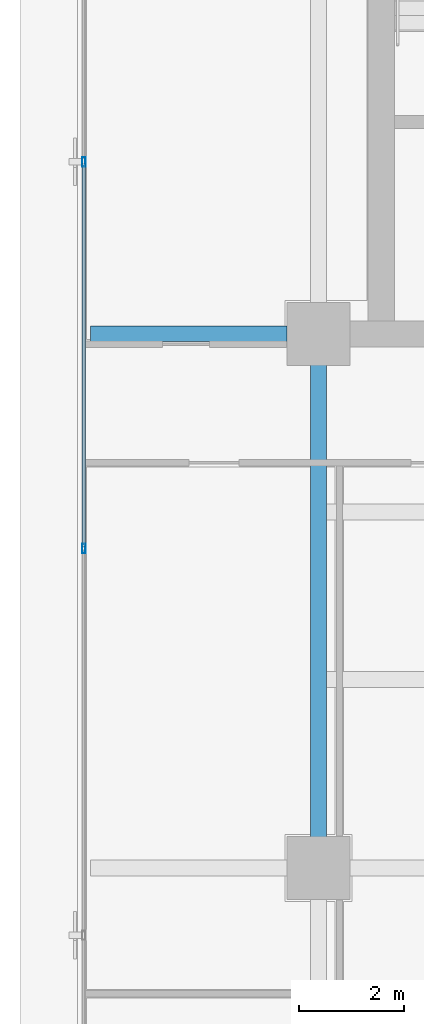
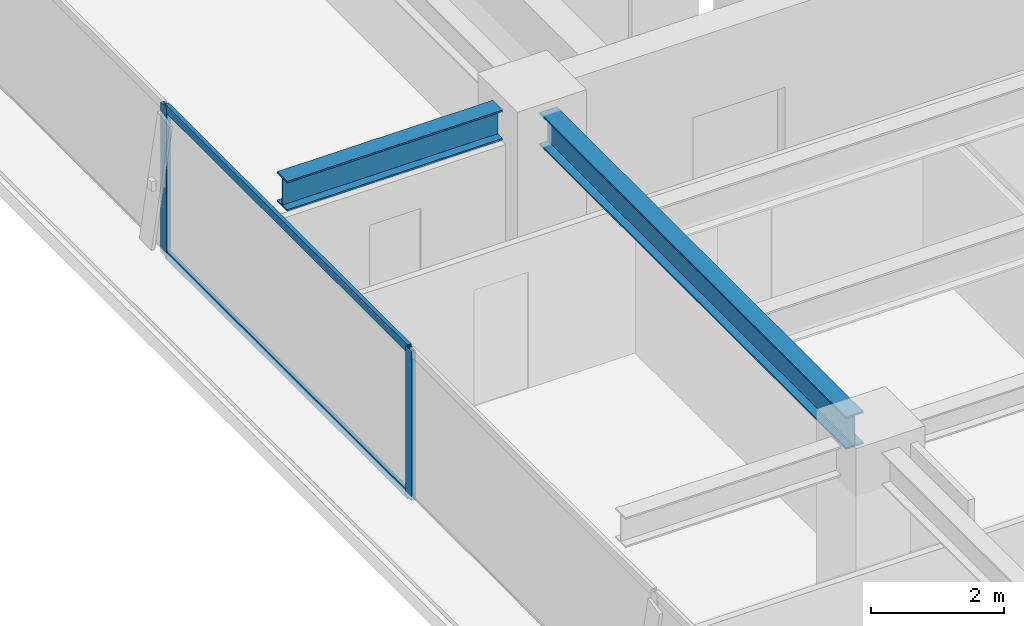
# One storey, part 7 of 22: 4 members, 2 beams, 1 element without a shape of its own.
"""IFC4 building model written with IfcOpenShell, lengths in metres."""

from ifc_helpers import new_model, si_unit, direction, frame, origin, origin_2d, place, context, subcontext, project, spatial, hollow_rectangle, i_section, extrude, source, transform, mapped, material, layer, layer_set, material_profile, profile_set, type_object, element, aggregate, save


model = new_model("IFC4")

# Units and contexts
model_context = context("Model", 3, precision=1e-05, world=origin(), true_north=direction((0.0, 1.0)))
body_context = subcontext(model_context, "Body", "Model", "MODEL_VIEW")
ifc_project = project(units=[si_unit("LENGTHUNIT", "METRE"), si_unit("AREAUNIT", "SQUARE_METRE"), si_unit("VOLUMEUNIT", "CUBIC_METRE"), si_unit("PLANEANGLEUNIT", "RADIAN"), si_unit("MASSUNIT", "GRAM", prefix="KILO")], contexts=[model_context])

# Site, building, storey
site_placement = place(None, origin())
site = spatial("IfcSite", under=ifc_project, at=site_placement, CompositionType="ELEMENT")
building_placement = place(site_placement, origin())
building = spatial("IfcBuilding", under=site, at=building_placement, Name="Sumidabori Civic Tower", CompositionType="ELEMENT")
storey_placement = place(building_placement, frame((0.0, 0.0, 272.0)))
storey = spatial("IfcBuildingStorey", under=building, at=storey_placement, Name="L71", CompositionType="ELEMENT", Elevation=272.0)

# Beams
ifc_material_1 = material(Name="Steel SN490", Category="steel")
ifc_material_profile_1 = material_profile(ifc_material_1, i_section(OverallWidth=0.300048828125, OverallDepth=0.60009765625, WebThickness=0.015380859375, FlangeThickness=0.030029296875, at=origin_2d()), Name="HE 600 B")
ifc_profile_set_1 = profile_set([ifc_material_profile_1], Name="Steel SN490")
beam_type_1 = type_object("IfcBeamType", Name="BM-GIRD-600", PredefinedType="BEAM", material=ifc_profile_set_1)
shared_shape_1 = source(origin(), body_context, "Body", "SweptSolid", [
    extrude(i_section(OverallWidth=0.300048828125, OverallDepth=0.60009765625, WebThickness=0.015380859375, FlangeThickness=0.030029296875, at=origin_2d()), origin(), (0.0, 0.0, 1.0), 9.239990234375),
])
beam_1_placement = place(storey_placement, frame((-16.800048828125, 0.47998046875, 3.070068359375), z_axis=(0.0, 1.0, 0.0), x_axis=(-1.0, 0.0, 0.0)))
element("IfcBeam", 1, at=beam_1_placement, inside=storey, type_object=beam_type_1, Name="Primary Girder L71 GY-10", PredefinedType="BEAM", context=body_context, shape_type="MappedRepresentation", body=[
    mapped(shared_shape_1, transform((0.0, 0.0, 0.0), x_axis=(1.0, 0.0, 0.0), y_axis=(0.0, 1.0, 0.0), z_axis=(0.0, 0.0, 1.0), scale=1.0)),
])
ifc_material_profile_2 = material_profile(ifc_material_1, i_section(OverallWidth=0.300048828125, OverallDepth=0.550048828125, WebThickness=0.014892578125, FlangeThickness=0.029052734375, at=origin_2d()), Name="HE 550 B")
ifc_profile_set_2 = profile_set([ifc_material_profile_2], Name="Steel SN490")
beam_type_2 = type_object("IfcBeamType", Name="BM-Z4-EDGE", PredefinedType="SPANDREL", material=ifc_profile_set_2)
shared_shape_2 = source(origin(), body_context, "Body", "SweptSolid", [
    extrude(i_section(OverallWidth=0.300048828125, OverallDepth=0.550048828125, WebThickness=0.014892578125, FlangeThickness=0.029052734375, at=origin_2d()), origin(), (0.0, 0.0, 1.0), 3.75),
])
beam_2_placement = place(storey_placement, frame((-21.14990234375, 10.199951171875, 3.094970703125), z_axis=(1.0, 0.0, 0.0), x_axis=(0.0, 1.0, 0.0)))
element("IfcBeam", 2, at=beam_2_placement, inside=storey, type_object=beam_type_2, Name="Perimeter Overhang Beam L71 W-21", PredefinedType="SPANDREL", context=body_context, shape_type="MappedRepresentation", body=[
    mapped(shared_shape_2, transform((0.0, 0.0, 0.0), x_axis=(1.0, 0.0, 0.0), y_axis=(0.0, 1.0, 0.0), z_axis=(0.0, 0.0, 1.0), scale=1.0)),
])

# Curtain wall, members
ifc_material_2 = material(Name="Anodised Bronze Aluminium AW-6063-T6", Category="aluminium")
ifc_layer = layer(ifc_material_2, 0.179931640625, Name="Anodised Bronze Aluminium AW-6063-T6")
ifc_layer_set = layer_set([ifc_layer], Name="Anodised Bronze Aluminium AW-6063-T6")
curtain_wall_type = type_object("IfcCurtainWallType", Name="CW-SYS-6", PredefinedType="NOTDEFINED", material=ifc_layer_set)
curtain_wall_placement = place(storey_placement, origin())
curtain_wall = element("IfcCurtainWall", 3, at=curtain_wall_placement, inside=storey, type_object=curtain_wall_type, Name="Curtain Wall CW:L71:R10", PredefinedType="NOTDEFINED")
ifc_material_profile_3 = material_profile(ifc_material_2, hollow_rectangle(XDim=0.070068359375, YDim=0.179931640625, WallThickness=0.006103515625, at=origin_2d()), Name="ALU MULLION 180x70")
ifc_profile_set_3 = profile_set([ifc_material_profile_3], Name="Anodised Bronze Aluminium AW-6063-T6")
member_type_1 = type_object("IfcMemberType", Name="CW-MUL-180", PredefinedType="MULLION", material=ifc_profile_set_3)
shared_shape_3 = source(origin(), body_context, "Body", "SweptSolid", [
    extrude(hollow_rectangle(XDim=0.070068359375, YDim=0.179931640625, WallThickness=0.006103515625, at=origin_2d()), origin(), (0.0, 0.0, 1.0), 2.75),
])
member_1_placement = place(storey_placement, frame((-21.280029296875, 13.485107421875, 0.0), z_axis=(0.0, 0.0, 1.0), x_axis=(1.0, 0.0, 0.0)))
member_1 = element("IfcMember", 4, at=member_1_placement, type_object=member_type_1, Name="CW-6 mullion 2", PredefinedType="MULLION", context=body_context, shape_type="MappedRepresentation", body=[
    mapped(shared_shape_3, transform((0.0, 0.0, 0.0), x_axis=(1.0, 0.0, 0.0), y_axis=(0.0, 1.0, 0.0), z_axis=(0.0, 0.0, 1.0), scale=1.0)),
])
member_2_placement = place(storey_placement, frame((-21.280029296875, 6.10009765625, 0.0), z_axis=(0.0, 0.0, 1.0), x_axis=(1.0, 0.0, 0.0)))
member_2 = element("IfcMember", 5, at=member_2_placement, type_object=member_type_1, Name="CW-6 mullion 3", PredefinedType="MULLION", context=body_context, shape_type="MappedRepresentation", body=[
    mapped(shared_shape_3, transform((0.0, 0.0, 0.0), x_axis=(1.0, 0.0, 0.0), y_axis=(0.0, 1.0, 0.0), z_axis=(0.0, 0.0, 1.0), scale=1.0)),
])
ifc_material_profile_4 = material_profile(ifc_material_2, hollow_rectangle(XDim=0.06494140625, YDim=0.14990234375, WallThickness=0.0048828125, at=origin_2d()), Name="ALU TRANSOM 150x65")
ifc_profile_set_4 = profile_set([ifc_material_profile_4], Name="Anodised Bronze Aluminium AW-6063-T6")
member_type_2 = type_object("IfcMemberType", Name="CW-TRN-150", PredefinedType="USERDEFINED", material=ifc_profile_set_4)
shared_shape_4 = source(origin(), body_context, "Body", "SweptSolid", [
    extrude(hollow_rectangle(XDim=0.06494140625, YDim=0.14990234375, WallThickness=0.0048828125, at=origin_2d()), origin(), (0.0, 0.0, 1.0), 7.31494140625),
])
member_3_placement = place(storey_placement, frame((-21.280029296875, 13.449951171875, 0.032470703125), z_axis=(0.0, -1.0, 0.0), x_axis=(1.0, 0.0, 0.0)))
member_3 = element("IfcMember", 6, at=member_3_placement, type_object=member_type_2, Name="CW-6 transom 2.1", ObjectType="TRANSOM", PredefinedType="USERDEFINED", context=body_context, shape_type="MappedRepresentation", body=[
    mapped(shared_shape_4, transform((0.0, 0.0, 0.0), x_axis=(1.0, 0.0, 0.0), y_axis=(0.0, 1.0, 0.0), z_axis=(0.0, 0.0, 1.0), scale=1.0)),
])
member_4_placement = place(storey_placement, frame((-21.280029296875, 13.449951171875, 2.717529296875), z_axis=(0.0, -1.0, 0.0), x_axis=(1.0, 0.0, 0.0)))
member_4 = element("IfcMember", 7, at=member_4_placement, type_object=member_type_2, Name="CW-6 transom 2.2", ObjectType="TRANSOM", PredefinedType="USERDEFINED", context=body_context, shape_type="MappedRepresentation", body=[
    mapped(shared_shape_4, transform((0.0, 0.0, 0.0), x_axis=(1.0, 0.0, 0.0), y_axis=(0.0, 1.0, 0.0), z_axis=(0.0, 0.0, 1.0), scale=1.0)),
])
aggregate(curtain_wall, [member_1, member_2, member_3, member_4])

save(model, "model.ifc")
